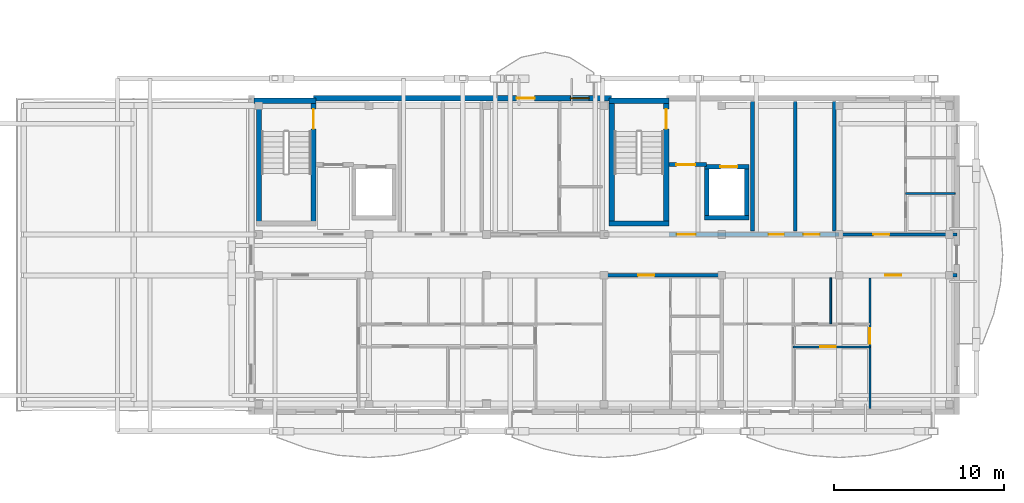
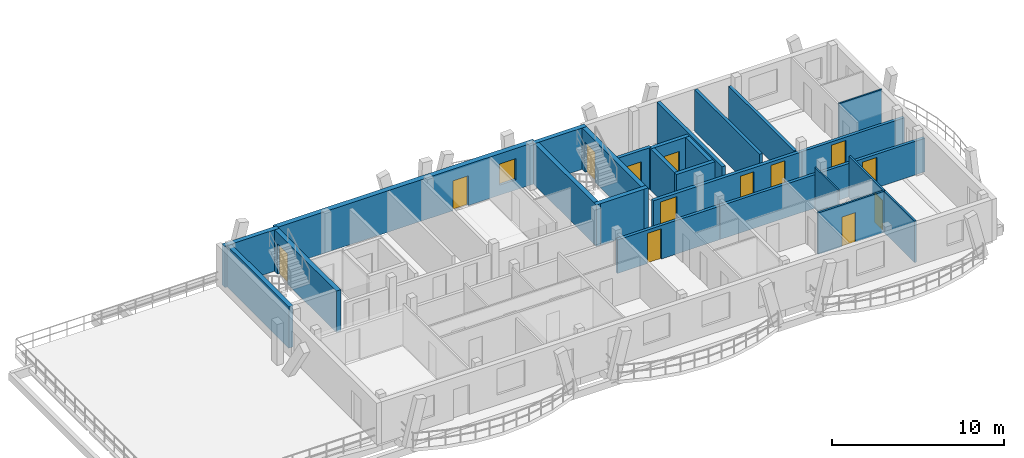
# One storey, part 30 of 48: 24 walls, 13 doors, 1 window, 14 openings.
"""IFC4 building model written with IfcOpenShell, lengths in metres."""

from ifc_helpers import new_model, si_unit, direction, frame, frame_2d, origin, origin_with_axes, place, context, subcontext, project, spatial, rectangle, extrude, material, layer, layer_set, type_object, element, fill, save


model = new_model("IFC4")

# Units and contexts
model_context = context("Model", 3, precision=1e-05, world=origin(), true_north=direction((0.0, 1.0)))
body_context = subcontext(model_context, "Body", "Model", "MODEL_VIEW")
ifc_project = project(units=[si_unit("LENGTHUNIT", "METRE"), si_unit("AREAUNIT", "SQUARE_METRE"), si_unit("VOLUMEUNIT", "CUBIC_METRE"), si_unit("PLANEANGLEUNIT", "RADIAN"), si_unit("MASSUNIT", "GRAM", prefix="KILO")], contexts=[model_context])

# Site, building, storey
site_placement = place(None, origin())
site = spatial("IfcSite", under=ifc_project, at=site_placement, CompositionType="ELEMENT")
building_placement = place(site_placement, origin())
building = spatial("IfcBuilding", under=site, at=building_placement, Name="Zavelmont Quarter", CompositionType="ELEMENT")
storey_placement = place(building_placement, frame((0.0, 0.0, 17.60009765625)))
storey = spatial("IfcBuildingStorey", under=building, at=storey_placement, Name="L05", CompositionType="ELEMENT", Elevation=17.60009765625)

# Wall, openings, door, window
ifc_material_1 = material(Name="Natural Belgian limestone", Category="masonry")
ifc_layer_1 = layer(ifc_material_1, 0.340087890625)
ifc_layer_set_1 = layer_set([ifc_layer_1], Name="Natural Belgian limestone")
wall_type_1 = type_object("IfcWallType", Name="EW03", PredefinedType="STANDARD", material=ifc_layer_set_1)
wall_1_placement = place(storey_placement, frame((130.25, 18.39990234375, 0.0), z_axis=(0.0, 0.0, 1.0), x_axis=(1.0, 0.0, 0.0)))
wall_1 = element("IfcWall", 1, at=wall_1_placement, inside=storey, type_object=wall_type_1, Name="L05 exterior limestone wall EW03", PredefinedType="STANDARD", context=body_context, shape_type="SweptSolid", body=[
    extrude(rectangle(XDim=17.5, YDim=0.340087890625, at=frame_2d((8.75, 0.0))), origin(), (0.0, 0.0, 1.0), 2.949951171875),
])
opening_1_placement = place(wall_1_placement, frame((11.919921875, 0.0, 0.0)))
opening_1 = element("IfcOpeningElement", 2, at=opening_1_placement, cuts=wall_1, Name="Opening DR04A", PredefinedType="OPENING", context=body_context, shape_type="SweptSolid", body=[
    extrude(rectangle(XDim=1.050048828125, YDim=2.1201171875, at=frame_2d((0.52490234375, 1.06005859375))), frame((0.0, 0.18212890625, 0.0), z_axis=(0.0, -1.0, 0.0), x_axis=(1.0, 0.0, 0.0)), (0.0, 0.0, 1.0), 0.364013671875),
])
opening_2_placement = place(wall_1_placement, frame((15.070068359375, 0.0, 0.719970703125)))
opening_2 = element("IfcOpeningElement", 3, at=opening_2_placement, cuts=wall_1, Name="Opening WN09", PredefinedType="OPENING", context=body_context, shape_type="SweptSolid", body=[
    extrude(rectangle(XDim=1.10009765625, YDim=1.5, at=frame_2d((0.550048828125, 0.75))), frame((0.0, 0.18212890625, 0.0), z_axis=(0.0, -1.0, 0.0), x_axis=(1.0, 0.0, 0.0)), (0.0, 0.0, 1.0), 0.364013671875),
])
ifc_material_2 = material(Name="Thermally broken aluminium and double safety glass", Category="aluminium")
door_type_1 = type_object("IfcDoorType", Name="DR04A", OperationType="NOTDEFINED", PredefinedType="DOOR", material=ifc_material_2)
door_1_placement = place(opening_1_placement, frame((1.050048828125, 0.0, 0.0), z_axis=(0.0, 0.0, 1.0), x_axis=(-1.0, 0.0, 0.0)))
door_1 = element("IfcDoor", 4, at=door_1_placement, inside=storey, type_object=door_type_1, Name="Block D L05 glazed balcony door", OperationType="SINGLE_SWING_LEFT", OverallHeight=2.1201171875, OverallWidth=1.050048828125, PredefinedType="DOOR", context=body_context, shape_type="SweptSolid", body=[
    extrude(rectangle(XDim=1.050048828125, YDim=2.1201171875, at=frame_2d((0.52490234375, 1.06005859375))), frame((0.0, 0.02490234375, 0.0), z_axis=(0.0, -1.0, 0.0), x_axis=(1.0, 0.0, 0.0)), (0.0, 0.0, 1.0), 0.050048828125),
])
fill(opening_1, door_1)
ifc_material_3 = material(Name="Double low-E insulated glazing in thermally broken aluminium frame", Category="aluminium")
window_type = type_object("IfcWindowType", Name="WN09", PartitioningType="SINGLE_PANEL", PredefinedType="WINDOW", material=ifc_material_3)
window_placement = place(opening_2_placement, origin_with_axes())
window = element("IfcWindow", 5, at=window_placement, inside=storey, type_object=window_type, Name="L05 window WN09", OverallHeight=1.5, OverallWidth=1.10009765625, PartitioningType="SINGLE_PANEL", PredefinedType="WINDOW", context=body_context, shape_type="SweptSolid", body=[
    extrude(rectangle(XDim=1.10009765625, YDim=1.5, at=frame_2d((0.550048828125, 0.75))), frame((0.0, 0.030029296875, 0.0), z_axis=(0.0, -1.0, 0.0), x_axis=(1.0, 0.0, 0.0)), (0.0, 0.0, 1.0), 0.06005859375),
])
fill(opening_2, window)

# Walls
ifc_material_4 = material(Name="Calcium-silicate blockwork and acoustic plaster", Category="masonry")
ifc_layer_2 = layer(ifc_material_4, 0.199951171875)
ifc_layer_set_2 = layer_set([ifc_layer_2], Name="Calcium-silicate blockwork and acoustic plaster")
wall_type_2 = type_object("IfcWallType", Name="IW01", PredefinedType="PARTITIONING", material=ifc_layer_set_2)
wall_2_placement = place(storey_placement, frame((158.52490234375, 10.60009765625, 0.0), z_axis=(0.0, 0.0, 1.0), x_axis=(0.0, 1.0, 0.0)))
element("IfcWall", 6, at=wall_2_placement, inside=storey, type_object=wall_type_2, Name="L05 Service riser divider wall IW01", PredefinedType="PARTITIONING", context=body_context, shape_type="SweptSolid", body=[
    extrude(rectangle(XDim=7.599853515625, YDim=0.199951171875, at=frame_2d((3.7998046875, 0.0))), origin(), (0.0, 0.0, 1.0), 2.949951171875),
])
wall_3_placement = place(storey_placement, frame((160.820068359375, 10.60009765625, 0.0), z_axis=(0.0, 0.0, 1.0), x_axis=(0.0, 1.0, 0.0)))
element("IfcWall", 7, at=wall_3_placement, inside=storey, type_object=wall_type_2, Name="L05 Core service end wall IW01", PredefinedType="PARTITIONING", context=body_context, shape_type="SweptSolid", body=[
    extrude(rectangle(XDim=7.599853515625, YDim=0.199951171875, at=frame_2d((3.7998046875, 0.0))), origin(), (0.0, 0.0, 1.0), 2.389892578125),
])

# Wall, opening, door
wall_4_placement = place(storey_placement, frame((147.300048828125, 8.0, 0.0), z_axis=(0.0, 0.0, 1.0), x_axis=(1.0, 0.0, 0.0)))
wall_4 = element("IfcWall", 8, at=wall_4_placement, inside=storey, type_object=wall_type_2, Name="L05 Corridor compartment wall IW01", PredefinedType="PARTITIONING", context=body_context, shape_type="SweptSolid", body=[
    extrude(rectangle(XDim=6.89990234375, YDim=0.199951171875, at=frame_2d((3.449951171875, 0.0))), origin(), (0.0, 0.0, 1.0), 2.389892578125),
])
opening_3_placement = place(wall_4_placement, frame((2.0, 0.0, 0.0)))
opening_3 = element("IfcOpeningElement", 9, at=opening_3_placement, cuts=wall_4, Name="Opening DR02", PredefinedType="OPENING", context=body_context, shape_type="SweptSolid", body=[
    extrude(rectangle(XDim=0.949951171875, YDim=2.14990234375, at=frame_2d((0.47509765625, 1.074951171875))), frame((0.0, 0.11181640625, 0.0), z_axis=(0.0, -1.0, 0.0), x_axis=(1.0, 0.0, 0.0)), (0.0, 0.0, 1.0), 0.223876953125),
])
ifc_material_5 = material(Name="Solid-core oak fire leaf in steel frame", Category="steel")
door_type_2 = type_object("IfcDoorType", Name="DR02", OperationType="NOTDEFINED", PredefinedType="DOOR", material=ifc_material_5)
door_2_placement = place(opening_3_placement, frame((0.949951171875, 0.0, 0.0), z_axis=(0.0, 0.0, 1.0), x_axis=(-1.0, 0.0, 0.0)))
door_2 = element("IfcDoor", 10, at=door_2_placement, inside=storey, type_object=door_type_2, Name="L05 door DR02", OperationType="SINGLE_SWING_LEFT", OverallHeight=2.14990234375, OverallWidth=0.949951171875, PredefinedType="DOOR", context=body_context, shape_type="SweptSolid", body=[
    extrude(rectangle(XDim=0.949951171875, YDim=2.14990234375, at=frame_2d((0.47509765625, 1.074951171875))), frame((0.0, 0.02490234375, 0.0), z_axis=(0.0, -1.0, 0.0), x_axis=(1.0, 0.0, 0.0)), (0.0, 0.0, 1.0), 0.050048828125),
])
fill(opening_3, door_2)

wall_5_placement = place(storey_placement, frame((154.199951171875, 8.0, 0.0), z_axis=(0.0, 0.0, 1.0), x_axis=(1.0, 0.0, 0.0)))
wall_5 = element("IfcWall", 11, at=wall_5_placement, inside=storey, type_object=wall_type_2, Name="L05 Corridor compartment wall IW01", PredefinedType="PARTITIONING", context=body_context, shape_type="SweptSolid", body=[
    extrude(rectangle(XDim=13.800048828125, YDim=0.199951171875, at=frame_2d((6.89990234375, 0.0))), origin(), (0.0, 0.0, 1.0), 2.389892578125),
])
opening_4_placement = place(wall_5_placement, frame((9.60009765625, 0.0, 0.0)))
opening_4 = element("IfcOpeningElement", 12, at=opening_4_placement, cuts=wall_5, Name="Opening DR02", PredefinedType="OPENING", context=body_context, shape_type="SweptSolid", body=[
    extrude(rectangle(XDim=0.949951171875, YDim=2.14990234375, at=frame_2d((0.47509765625, 1.074951171875))), frame((0.0, 0.11181640625, 0.0), z_axis=(0.0, -1.0, 0.0), x_axis=(1.0, 0.0, 0.0)), (0.0, 0.0, 1.0), 0.223876953125),
])
door_3_placement = place(opening_4_placement, frame((0.949951171875, 0.0, 0.0), z_axis=(0.0, 0.0, 1.0), x_axis=(-1.0, 0.0, 0.0)))
door_3 = element("IfcDoor", 13, at=door_3_placement, inside=storey, type_object=door_type_2, Name="L05 door DR02", OperationType="SINGLE_SWING_RIGHT", OverallHeight=2.14990234375, OverallWidth=0.949951171875, PredefinedType="DOOR", context=body_context, shape_type="SweptSolid", body=[
    extrude(rectangle(XDim=0.949951171875, YDim=2.14990234375, at=frame_2d((0.47509765625, 1.074951171875))), frame((0.0, 0.02490234375, 0.0), z_axis=(0.0, -1.0, 0.0), x_axis=(1.0, 0.0, 0.0)), (0.0, 0.0, 1.0), 0.050048828125),
])
fill(opening_4, door_3)

wall_6_placement = place(storey_placement, frame((161.10009765625, 10.39990234375, 0.0), z_axis=(0.0, 0.0, 1.0), x_axis=(1.0, 0.0, 0.0)))
wall_6 = element("IfcWall", 14, at=wall_6_placement, inside=storey, type_object=wall_type_2, Name="L05 Corridor compartment wall IW01", PredefinedType="PARTITIONING", context=body_context, shape_type="SweptSolid", body=[
    extrude(rectangle(XDim=6.89990234375, YDim=0.199951171875, at=frame_2d((3.449951171875, 0.0))), origin(), (0.0, 0.0, 1.0), 2.389892578125),
])
opening_5_placement = place(wall_6_placement, frame((2.0, 0.0, 0.0)))
opening_5 = element("IfcOpeningElement", 15, at=opening_5_placement, cuts=wall_6, Name="Opening DR02", PredefinedType="OPENING", context=body_context, shape_type="SweptSolid", body=[
    extrude(rectangle(XDim=0.949951171875, YDim=2.14990234375, at=frame_2d((0.47509765625, 1.074951171875))), frame((0.0, 0.11181640625, 0.0), z_axis=(0.0, -1.0, 0.0), x_axis=(1.0, 0.0, 0.0)), (0.0, 0.0, 1.0), 0.223876953125),
])
door_4_placement = place(opening_5_placement, origin_with_axes())
door_4 = element("IfcDoor", 16, at=door_4_placement, inside=storey, type_object=door_type_2, Name="L05 door DR02", OperationType="SINGLE_SWING_RIGHT", OverallHeight=2.14990234375, OverallWidth=0.949951171875, PredefinedType="DOOR", context=body_context, shape_type="SweptSolid", body=[
    extrude(rectangle(XDim=0.949951171875, YDim=2.14990234375, at=frame_2d((0.47509765625, 1.074951171875))), frame((0.0, 0.02490234375, 0.0), z_axis=(0.0, -1.0, 0.0), x_axis=(1.0, 0.0, 0.0)), (0.0, 0.0, 1.0), 0.050048828125),
])
fill(opening_5, door_4)

# Wall
ifc_material_6 = material(Name="Reinforced masonry fire compartment wall", Category="masonry")
ifc_layer_3 = layer(ifc_material_6, 0.22509765625)
ifc_layer_set_3 = layer_set([ifc_layer_3], Name="Reinforced masonry fire compartment wall")
wall_type_3 = type_object("IfcWallType", Name="IW02", PredefinedType="PARTITIONING", material=ifc_layer_set_3)
wall_7_placement = place(storey_placement, frame((156.010009765625, 10.60009765625, 0.0), z_axis=(0.0, 0.0, 1.0), x_axis=(0.0, 1.0, 0.0)))
element("IfcWall", 17, at=wall_7_placement, inside=storey, type_object=wall_type_3, Name="L05 Firefighting lobby enclosure wall IW02", PredefinedType="PARTITIONING", context=body_context, shape_type="SweptSolid", body=[
    extrude(rectangle(XDim=7.599853515625, YDim=0.22509765625, at=frame_2d((3.7998046875, 0.0))), origin(), (0.0, 0.0, 1.0), 2.949951171875),
])

# Wall, opening, door
wall_8_placement = place(storey_placement, frame((151.10009765625, 14.5, 0.0), z_axis=(0.0, 0.0, 1.0), x_axis=(1.0, 0.0, 0.0)))
wall_8 = element("IfcWall", 18, at=wall_8_placement, inside=storey, type_object=wall_type_3, Name="L05 Firefighting lobby threshold wall IW02", PredefinedType="PARTITIONING", context=body_context, shape_type="SweptSolid", body=[
    extrude(rectangle(XDim=2.199951171875, YDim=0.22509765625, at=frame_2d((1.10009765625, 0.0))), origin(), (0.0, 0.0, 1.0), 2.949951171875),
])
opening_6_placement = place(wall_8_placement, frame((0.449951171875, 0.0, 0.0)))
opening_6 = element("IfcOpeningElement", 19, at=opening_6_placement, cuts=wall_8, Name="Opening DR10", PredefinedType="OPENING", context=body_context, shape_type="SweptSolid", body=[
    extrude(rectangle(XDim=1.10009765625, YDim=2.14990234375, at=frame_2d((0.550048828125, 1.074951171875))), frame((0.0, 0.12451171875, 0.0), z_axis=(0.0, -1.0, 0.0), x_axis=(1.0, 0.0, 0.0)), (0.0, 0.0, 1.0), 0.2490234375),
])
ifc_material_7 = material(Name="Painted steel lobby fire door", Category="steel")
door_type_3 = type_object("IfcDoorType", Name="DR10", OperationType="NOTDEFINED", PredefinedType="DOOR", material=ifc_material_7)
door_5_placement = place(opening_6_placement, origin_with_axes())
door_5 = element("IfcDoor", 20, at=door_5_placement, inside=storey, type_object=door_type_3, Name="Firefighting lobby fire door", OperationType="SINGLE_SWING_RIGHT", OverallHeight=2.14990234375, OverallWidth=1.10009765625, PredefinedType="DOOR", context=body_context, shape_type="SweptSolid", body=[
    extrude(rectangle(XDim=1.10009765625, YDim=2.14990234375, at=frame_2d((0.550048828125, 1.074951171875))), frame((0.0, 0.02490234375, 0.0), z_axis=(0.0, -1.0, 0.0), x_axis=(1.0, 0.0, 0.0)), (0.0, 0.0, 1.0), 0.050048828125),
])
fill(opening_6, door_5)

# Wall, openings, doors
wall_9_placement = place(storey_placement, frame((151.10009765625, 10.39990234375, 0.0), z_axis=(0.0, 0.0, 1.0), x_axis=(1.0, 0.0, 0.0)))
wall_9 = element("IfcWall", 21, at=wall_9_placement, inside=storey, type_object=wall_type_3, Name="L05 Core corridor fire wall IW02", PredefinedType="PARTITIONING", context=body_context, shape_type="SweptSolid", body=[
    extrude(rectangle(XDim=10.0, YDim=0.22509765625, at=frame_2d((5.0, 0.0))), origin(), (0.0, 0.0, 1.0), 2.389892578125),
])
opening_7_placement = place(wall_9_placement, frame((0.47509765625, 0.0, 0.0)))
opening_7 = element("IfcOpeningElement", 22, at=opening_7_placement, cuts=wall_9, Name="Opening DR10", PredefinedType="OPENING", context=body_context, shape_type="SweptSolid", body=[
    extrude(rectangle(XDim=1.10009765625, YDim=2.14990234375, at=frame_2d((0.550048828125, 1.074951171875))), frame((0.0, 0.12451171875, 0.0), z_axis=(0.0, -1.0, 0.0), x_axis=(1.0, 0.0, 0.0)), (0.0, 0.0, 1.0), 0.2490234375),
])
opening_8_placement = place(wall_9_placement, frame((5.85009765625, 0.0, 0.0)))
opening_8 = element("IfcOpeningElement", 23, at=opening_8_placement, cuts=wall_9, Name="Opening DR11", PredefinedType="OPENING", context=body_context, shape_type="SweptSolid", body=[
    extrude(rectangle(XDim=0.89990234375, YDim=2.10009765625, at=frame_2d((0.449951171875, 1.050048828125))), frame((0.0, 0.12451171875, 0.0), z_axis=(0.0, -1.0, 0.0), x_axis=(1.0, 0.0, 0.0)), (0.0, 0.0, 1.0), 0.2490234375),
])
opening_9_placement = place(wall_9_placement, frame((7.89990234375, 0.0, 0.0)))
opening_9 = element("IfcOpeningElement", 24, at=opening_9_placement, cuts=wall_9, Name="Opening DR02", PredefinedType="OPENING", context=body_context, shape_type="SweptSolid", body=[
    extrude(rectangle(XDim=0.949951171875, YDim=2.14990234375, at=frame_2d((0.47509765625, 1.074951171875))), frame((0.0, 0.12451171875, 0.0), z_axis=(0.0, -1.0, 0.0), x_axis=(1.0, 0.0, 0.0)), (0.0, 0.0, 1.0), 0.2490234375),
])
door_6_placement = place(opening_9_placement, frame((0.949951171875, 0.0, 0.0), z_axis=(0.0, 0.0, 1.0), x_axis=(-1.0, 0.0, 0.0)))
door_6 = element("IfcDoor", 25, at=door_6_placement, inside=storey, type_object=door_type_2, Name="Auxiliary store corridor door", OperationType="SINGLE_SWING_RIGHT", OverallHeight=2.14990234375, OverallWidth=0.949951171875, PredefinedType="DOOR", context=body_context, shape_type="SweptSolid", body=[
    extrude(rectangle(XDim=0.949951171875, YDim=2.14990234375, at=frame_2d((0.47509765625, 1.074951171875))), frame((0.0, 0.02490234375, 0.0), z_axis=(0.0, -1.0, 0.0), x_axis=(1.0, 0.0, 0.0)), (0.0, 0.0, 1.0), 0.050048828125),
])
fill(opening_9, door_6)
door_7_placement = place(opening_7_placement, origin_with_axes())
door_7 = element("IfcDoor", 26, at=door_7_placement, inside=storey, type_object=door_type_3, Name="Core vestibule fire door", OperationType="SINGLE_SWING_LEFT", OverallHeight=2.14990234375, OverallWidth=1.10009765625, PredefinedType="DOOR", context=body_context, shape_type="SweptSolid", body=[
    extrude(rectangle(XDim=1.10009765625, YDim=2.14990234375, at=frame_2d((0.550048828125, 1.074951171875))), frame((0.0, 0.02490234375, 0.0), z_axis=(0.0, -1.0, 0.0), x_axis=(1.0, 0.0, 0.0)), (0.0, 0.0, 1.0), 0.050048828125),
])
fill(opening_7, door_7)
ifc_material_8 = material(Name="Painted steel service-riser fire door", Category="steel")
door_type_4 = type_object("IfcDoorType", Name="DR11", OperationType="NOTDEFINED", PredefinedType="DOOR", material=ifc_material_8)
door_8_placement = place(opening_8_placement, frame((0.89990234375, 0.0, 0.0), z_axis=(0.0, 0.0, 1.0), x_axis=(-1.0, 0.0, 0.0)))
door_8 = element("IfcDoor", 27, at=door_8_placement, inside=storey, type_object=door_type_4, Name="Service riser fire door", OperationType="SINGLE_SWING_LEFT", OverallHeight=2.10009765625, OverallWidth=0.89990234375, PredefinedType="DOOR", context=body_context, shape_type="SweptSolid", body=[
    extrude(rectangle(XDim=0.89990234375, YDim=2.10009765625, at=frame_2d((0.449951171875, 1.050048828125))), frame((0.0, 0.02490234375, 0.0), z_axis=(0.0, -1.0, 0.0), x_axis=(1.0, 0.0, 0.0)), (0.0, 0.0, 1.0), 0.050048828125),
])
fill(opening_8, door_8)

# Wall, opening, door
ifc_material_9 = material(Name="Double gypsum board on acoustic steel stud", Category="steel")
ifc_layer_4 = layer(ifc_material_9, 0.125)
ifc_layer_set_4 = layer_set([ifc_layer_4], Name="Double gypsum board on acoustic steel stud")
wall_type_4 = type_object("IfcWallType", Name="IW03", PredefinedType="PARTITIONING", material=ifc_layer_set_4)
wall_10_placement = place(storey_placement, frame((162.89990234375, 7.85009765625, 0.0), z_axis=(0.0, 0.0, 1.0), x_axis=(0.0, -1.0, 0.0)))
wall_10 = element("IfcWall", 28, at=wall_10_placement, inside=storey, type_object=wall_type_4, Name="L05 Partition IW03", PredefinedType="PARTITIONING", context=body_context, shape_type="SweptSolid", body=[
    extrude(rectangle(XDim=7.650146484375, YDim=0.125, at=frame_2d((3.8251953125, 0.0))), origin(), (0.0, 0.0, 1.0), 2.949951171875),
])
opening_10_placement = place(wall_10_placement, frame((2.949951171875, 0.0, 0.0)))
opening_10 = element("IfcOpeningElement", 29, at=opening_10_placement, cuts=wall_10, Name="Opening DR05", PredefinedType="OPENING", context=body_context, shape_type="SweptSolid", body=[
    extrude(rectangle(XDim=0.89990234375, YDim=2.10009765625, at=frame_2d((0.449951171875, 1.050048828125))), frame((0.0, 0.074462890625, 0.0), z_axis=(0.0, -1.0, 0.0), x_axis=(1.0, 0.0, 0.0)), (0.0, 0.0, 1.0), 0.14892578125),
])
ifc_material_10 = material(Name="Engineered oak flush interior door")
door_type_5 = type_object("IfcDoorType", Name="DR05", OperationType="NOTDEFINED", PredefinedType="DOOR", material=ifc_material_10)
door_9_placement = place(opening_10_placement, origin_with_axes())
door_9 = element("IfcDoor", 30, at=door_9_placement, inside=storey, type_object=door_type_5, Name="L05 door DR05", OperationType="SINGLE_SWING_RIGHT", OverallHeight=2.10009765625, OverallWidth=0.89990234375, PredefinedType="DOOR", context=body_context, shape_type="SweptSolid", body=[
    extrude(rectangle(XDim=0.89990234375, YDim=2.10009765625, at=frame_2d((0.449951171875, 1.050048828125))), frame((0.0, 0.02490234375, 0.0), z_axis=(0.0, -1.0, 0.0), x_axis=(1.0, 0.0, 0.0)), (0.0, 0.0, 1.0), 0.050048828125),
])
fill(opening_10, door_9)

wall_11_placement = place(storey_placement, frame((158.39990234375, 3.800048828125, 0.0), z_axis=(0.0, 0.0, 1.0), x_axis=(1.0, 0.0, 0.0)))
wall_11 = element("IfcWall", 31, at=wall_11_placement, inside=storey, type_object=wall_type_4, Name="L05 Partition IW03", PredefinedType="PARTITIONING", context=body_context, shape_type="SweptSolid", body=[
    extrude(rectangle(XDim=4.5, YDim=0.125, at=frame_2d((2.25, 0.0))), origin(), (0.0, 0.0, 1.0), 2.949951171875),
])
opening_11_placement = place(wall_11_placement, frame((1.60009765625, 0.0, 0.0)))
opening_11 = element("IfcOpeningElement", 32, at=opening_11_placement, cuts=wall_11, Name="Opening DR05", PredefinedType="OPENING", context=body_context, shape_type="SweptSolid", body=[
    extrude(rectangle(XDim=0.89990234375, YDim=2.10009765625, at=frame_2d((0.449951171875, 1.050048828125))), frame((0.0, 0.074462890625, 0.0), z_axis=(0.0, -1.0, 0.0), x_axis=(1.0, 0.0, 0.0)), (0.0, 0.0, 1.0), 0.14892578125),
])
door_10_placement = place(opening_11_placement, frame((0.89990234375, 0.0, 0.0), z_axis=(0.0, 0.0, 1.0), x_axis=(-1.0, 0.0, 0.0)))
door_10 = element("IfcDoor", 33, at=door_10_placement, inside=storey, type_object=door_type_5, Name="L05 door DR05", OperationType="SINGLE_SWING_LEFT", OverallHeight=2.10009765625, OverallWidth=0.89990234375, PredefinedType="DOOR", context=body_context, shape_type="SweptSolid", body=[
    extrude(rectangle(XDim=0.89990234375, YDim=2.10009765625, at=frame_2d((0.449951171875, 1.050048828125))), frame((0.0, 0.02490234375, 0.0), z_axis=(0.0, -1.0, 0.0), x_axis=(1.0, 0.0, 0.0)), (0.0, 0.0, 1.0), 0.050048828125),
])
fill(opening_11, door_10)

# Walls
ifc_material_11 = material(Name="Moisture-resistant gypsum board on steel stud", Category="steel")
ifc_layer_5 = layer(ifc_material_11, 0.10009765625)
ifc_layer_set_5 = layer_set([ifc_layer_5], Name="Moisture-resistant gypsum board on steel stud")
wall_type_5 = type_object("IfcWallType", Name="IW04", PredefinedType="PARTITIONING", material=ifc_layer_set_5)
wall_12_placement = place(storey_placement, frame((160.60009765625, 7.85009765625, 0.0), z_axis=(0.0, 0.0, 1.0), x_axis=(0.0, -1.0, 0.0)))
element("IfcWall", 34, at=wall_12_placement, inside=storey, type_object=wall_type_5, Name="L05 Partition IW04", PredefinedType="PARTITIONING", context=body_context, shape_type="SweptSolid", body=[
    extrude(rectangle(XDim=2.7001953125, YDim=0.10009765625, at=frame_2d((1.35009765625, 0.0))), origin(), (0.0, 0.0, 1.0), 2.949951171875),
])
wall_13_placement = place(storey_placement, frame((165.0, 12.800048828125, 0.0), z_axis=(0.0, 0.0, 1.0), x_axis=(1.0, 0.0, 0.0)))
element("IfcWall", 35, at=wall_13_placement, inside=storey, type_object=wall_type_5, Name="L05 Partition IW04", PredefinedType="PARTITIONING", context=body_context, shape_type="SweptSolid", body=[
    extrude(rectangle(XDim=2.89990234375, YDim=0.10009765625, at=frame_2d((1.449951171875, 0.0))), origin(), (0.0, 0.0, 1.0), 2.949951171875),
])
ifc_material_12 = material(Name="Concrete C40/50", Category="concrete")
ifc_layer_6 = layer(ifc_material_12, 0.300048828125)
ifc_layer_set_6 = layer_set([ifc_layer_6], Name="Concrete C40/50")
wall_type_6 = type_object("IfcWallType", Name="SW01", PredefinedType="SHEAR", material=ifc_layer_set_6)
wall_14_placement = place(storey_placement, frame((127.050048828125, 10.89990234375, 0.0), z_axis=(0.0, 0.0, 1.0), x_axis=(0.0, 1.0, 0.0)))
element("IfcWall", 36, at=wall_14_placement, inside=storey, type_object=wall_type_6, Name="L05 ST07 west shear wall SW01", PredefinedType="SHEAR", context=body_context, shape_type="SweptSolid", body=[
    extrude(rectangle(XDim=7.5, YDim=0.300048828125, at=frame_2d((3.75, 0.0))), origin(), (0.0, 0.0, 1.0), 2.949951171875),
])

# Wall, opening, door
wall_15_placement = place(storey_placement, frame((130.25, 10.89990234375, 0.0), z_axis=(0.0, 0.0, 1.0), x_axis=(0.0, 1.0, 0.0)))
wall_15 = element("IfcWall", 37, at=wall_15_placement, inside=storey, type_object=wall_type_6, Name="L05 ST07 lobby shear wall SW01", PredefinedType="SHEAR", context=body_context, shape_type="SweptSolid", body=[
    extrude(rectangle(XDim=7.5, YDim=0.300048828125, at=frame_2d((3.75, 0.0))), origin(), (0.0, 0.0, 1.0), 2.949951171875),
])
opening_12_placement = place(wall_15_placement, frame((5.699951171875, 0.0, 0.0)))
opening_12 = element("IfcOpeningElement", 38, at=opening_12_placement, cuts=wall_15, Name="Opening DR09", PredefinedType="OPENING", context=body_context, shape_type="SweptSolid", body=[
    extrude(rectangle(XDim=1.14990234375, YDim=2.14990234375, at=frame_2d((0.574951171875, 1.074951171875))), frame((0.0, 0.162109375, 0.0), z_axis=(0.0, -1.0, 0.0), x_axis=(1.0, 0.0, 0.0)), (0.0, 0.0, 1.0), 0.323974609375),
])
ifc_material_13 = material(Name="Painted steel stair-core fire door", Category="steel")
door_type_6 = type_object("IfcDoorType", Name="DR09", OperationType="NOTDEFINED", PredefinedType="DOOR", material=ifc_material_13)
door_11_placement = place(opening_12_placement, origin_with_axes())
door_11 = element("IfcDoor", 39, at=door_11_placement, inside=storey, type_object=door_type_6, Name="ST07 protected stair door", OperationType="SINGLE_SWING_LEFT", OverallHeight=2.14990234375, OverallWidth=1.14990234375, PredefinedType="DOOR", context=body_context, shape_type="SweptSolid", body=[
    extrude(rectangle(XDim=1.14990234375, YDim=2.14990234375, at=frame_2d((0.574951171875, 1.074951171875))), frame((0.0, 0.02490234375, 0.0), z_axis=(0.0, -1.0, 0.0), x_axis=(1.0, 0.0, 0.0)), (0.0, 0.0, 1.0), 0.050048828125),
])
fill(opening_12, door_11)

# Walls
wall_16_placement = place(storey_placement, frame((147.60009765625, 11.050048828125, 0.0), z_axis=(0.0, 0.0, 1.0), x_axis=(1.0, 0.0, 0.0)))
element("IfcWall", 40, at=wall_16_placement, inside=storey, type_object=wall_type_6, Name="L05 ST08 corridor shear wall SW01", PredefinedType="SHEAR", context=body_context, shape_type="SweptSolid", body=[
    extrude(rectangle(XDim=3.5, YDim=0.300048828125, at=frame_2d((1.75, 0.0))), origin(), (0.0, 0.0, 1.0), 2.949951171875),
])
wall_17_placement = place(storey_placement, frame((147.75, 10.89990234375, 0.0), z_axis=(0.0, 0.0, 1.0), x_axis=(0.0, 1.0, 0.0)))
element("IfcWall", 41, at=wall_17_placement, inside=storey, type_object=wall_type_6, Name="L05 ST08 west shear wall SW01", PredefinedType="SHEAR", context=body_context, shape_type="SweptSolid", body=[
    extrude(rectangle(XDim=7.5, YDim=0.300048828125, at=frame_2d((3.75, 0.0))), origin(), (0.0, 0.0, 1.0), 2.949951171875),
])

# Wall, opening, door
wall_18_placement = place(storey_placement, frame((150.949951171875, 10.89990234375, 0.0), z_axis=(0.0, 0.0, 1.0), x_axis=(0.0, 1.0, 0.0)))
wall_18 = element("IfcWall", 42, at=wall_18_placement, inside=storey, type_object=wall_type_6, Name="L05 ST08 lobby shear wall SW01", PredefinedType="SHEAR", context=body_context, shape_type="SweptSolid", body=[
    extrude(rectangle(XDim=7.5, YDim=0.300048828125, at=frame_2d((3.75, 0.0))), origin(), (0.0, 0.0, 1.0), 2.949951171875),
])
opening_13_placement = place(wall_18_placement, frame((5.699951171875, 0.0, 0.0)))
opening_13 = element("IfcOpeningElement", 43, at=opening_13_placement, cuts=wall_18, Name="Opening DR09", PredefinedType="OPENING", context=body_context, shape_type="SweptSolid", body=[
    extrude(rectangle(XDim=1.14990234375, YDim=2.14990234375, at=frame_2d((0.574951171875, 1.074951171875))), frame((0.0, 0.162109375, 0.0), z_axis=(0.0, -1.0, 0.0), x_axis=(1.0, 0.0, 0.0)), (0.0, 0.0, 1.0), 0.323974609375),
])
door_12_placement = place(opening_13_placement, origin_with_axes())
door_12 = element("IfcDoor", 44, at=door_12_placement, inside=storey, type_object=door_type_6, Name="ST08 protected stair door", OperationType="SINGLE_SWING_LEFT", OverallHeight=2.14990234375, OverallWidth=1.14990234375, PredefinedType="DOOR", context=body_context, shape_type="SweptSolid", body=[
    extrude(rectangle(XDim=1.14990234375, YDim=2.14990234375, at=frame_2d((0.574951171875, 1.074951171875))), frame((0.0, 0.02490234375, 0.0), z_axis=(0.0, -1.0, 0.0), x_axis=(1.0, 0.0, 0.0)), (0.0, 0.0, 1.0), 0.050048828125),
])
fill(opening_13, door_12)

ifc_layer_7 = layer(ifc_material_12, 0.25)
ifc_layer_set_7 = layer_set([ifc_layer_7], Name="Concrete C40/50")
wall_type_7 = type_object("IfcWallType", Name="SW02", PredefinedType="SHEAR", material=ifc_layer_set_7)
wall_19_placement = place(storey_placement, frame((153.199951171875, 14.375, 0.0), z_axis=(0.0, 0.0, 1.0), x_axis=(1.0, 0.0, 0.0)))
wall_19 = element("IfcWall", 45, at=wall_19_placement, inside=storey, type_object=wall_type_7, Name="L05 Lift LF08 landing shaft wall SW02", PredefinedType="SHEAR", context=body_context, shape_type="SweptSolid", body=[
    extrude(rectangle(XDim=2.60009765625, YDim=0.25, at=frame_2d((1.300048828125, 0.0))), origin(), (0.0, 0.0, 1.0), 2.949951171875),
])
opening_14_placement = place(wall_19_placement, frame((0.925048828125, 0.0, 0.0)))
opening_14 = element("IfcOpeningElement", 46, at=opening_14_placement, cuts=wall_19, Name="Opening LD01", PredefinedType="OPENING", context=body_context, shape_type="SweptSolid", body=[
    extrude(rectangle(XDim=1.0, YDim=2.10009765625, at=frame_2d((0.5, 1.050048828125))), frame((0.0, 0.136962890625, 0.0), z_axis=(0.0, -1.0, 0.0), x_axis=(1.0, 0.0, 0.0)), (0.0, 0.0, 1.0), 0.27392578125),
])
ifc_material_14 = material(Name="Brushed stainless-steel automatic sliding landing door", Category="steel")
door_type_7 = type_object("IfcDoorType", Name="LD01", OperationType="SLIDING_TO_LEFT", PredefinedType="DOOR", material=ifc_material_14)
door_13_placement = place(opening_14_placement, origin_with_axes())
door_13 = element("IfcDoor", 47, at=door_13_placement, inside=storey, type_object=door_type_7, Name="Lift LF08 sliding landing door", OperationType="SLIDING_TO_LEFT", OverallHeight=2.10009765625, OverallWidth=1.0, PredefinedType="DOOR", context=body_context, shape_type="SweptSolid", body=[
    extrude(rectangle(XDim=1.0, YDim=2.10009765625, at=frame_2d((0.5, 1.050048828125))), frame((0.0, 0.02490234375, 0.0), z_axis=(0.0, -1.0, 0.0), x_axis=(1.0, 0.0, 0.0)), (0.0, 0.0, 1.0), 0.050048828125),
])
fill(opening_14, door_13)

# Walls
wall_20_placement = place(storey_placement, frame((153.199951171875, 11.375, 0.0), z_axis=(0.0, 0.0, 1.0), x_axis=(1.0, 0.0, 0.0)))
element("IfcWall", 48, at=wall_20_placement, inside=storey, type_object=wall_type_7, Name="L05 Lift LF08 back shaft wall SW02", PredefinedType="SHEAR", context=body_context, shape_type="SweptSolid", body=[
    extrude(rectangle(XDim=2.60009765625, YDim=0.25, at=frame_2d((1.300048828125, 0.0))), origin(), (0.0, 0.0, 1.0), 2.949951171875),
])
for number, where, z_axis, x_axis, name in (
    (49, (153.324951171875, 11.25, 0.0), (0.0, 0.0, 1.0), (0.0, 1.0, 0.0), "L05 Lift LF08 west shaft wall SW02"),
    (50, (155.675048828125, 11.25, 0.0), (0.0, 0.0, 1.0), (0.0, 1.0, 0.0), "L05 Lift LF08 east shaft wall SW02"),
):
    element("IfcWall", number, at=place(storey_placement, frame(where, z_axis=z_axis, x_axis=x_axis)), inside=storey, type_object=wall_type_7, Name=name, PredefinedType="SHEAR", context=body_context, shape_type="SweptSolid", body=[
        extrude(rectangle(XDim=3.25, YDim=0.25, at=frame_2d((1.625, 0.0))), origin(), (0.0, 0.0, 1.0), 2.949951171875),
    ])
ifc_layer_8 = layer(ifc_material_12, 0.300048828125)
ifc_layer_set_8 = layer_set([ifc_layer_8], Name="Concrete C40/50")
wall_type_8 = type_object("IfcWallType", Name="SW03", PredefinedType="SHEAR", material=ifc_layer_set_8)
wall_21_placement = place(storey_placement, frame((126.75, 18.25, 0.0), z_axis=(0.0, 0.0, 1.0), x_axis=(1.0, 0.0, 0.0)))
element("IfcWall", 51, at=wall_21_placement, inside=storey, type_object=wall_type_8, Name="L05 ST07 outer shear wall SW03", PredefinedType="SHEAR", context=body_context, shape_type="SweptSolid", body=[
    extrude(rectangle(XDim=3.64990234375, YDim=0.300048828125, at=frame_2d((1.824951171875, 0.0))), origin(), (0.0, 0.0, 1.0), 2.949951171875),
])
wall_22_placement = place(storey_placement, frame((147.60009765625, 18.25, 0.0), z_axis=(0.0, 0.0, 1.0), x_axis=(1.0, 0.0, 0.0)))
element("IfcWall", 52, at=wall_22_placement, inside=storey, type_object=wall_type_8, Name="L05 ST08 outer shear wall SW03", PredefinedType="SHEAR", context=body_context, shape_type="SweptSolid", body=[
    extrude(rectangle(XDim=3.5, YDim=0.300048828125, at=frame_2d((1.75, 0.0))), origin(), (0.0, 0.0, 1.0), 2.949951171875),
])

save(model, "model.ifc")
